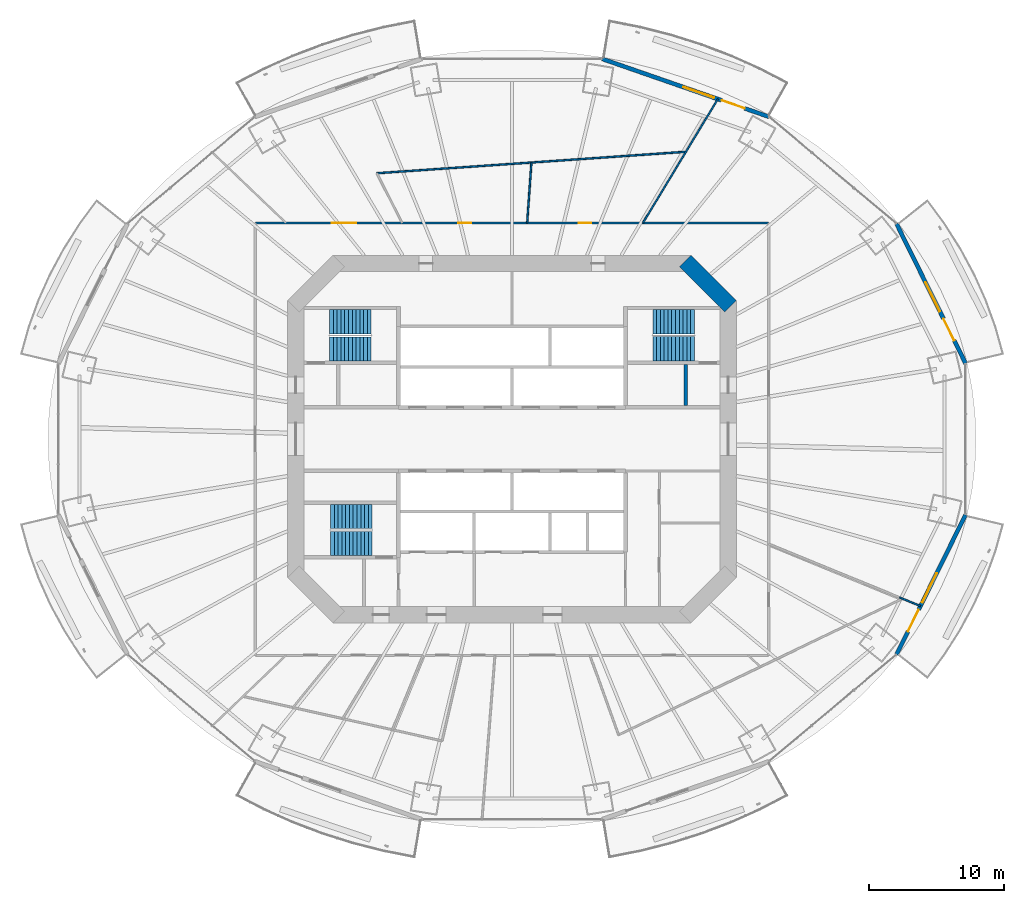
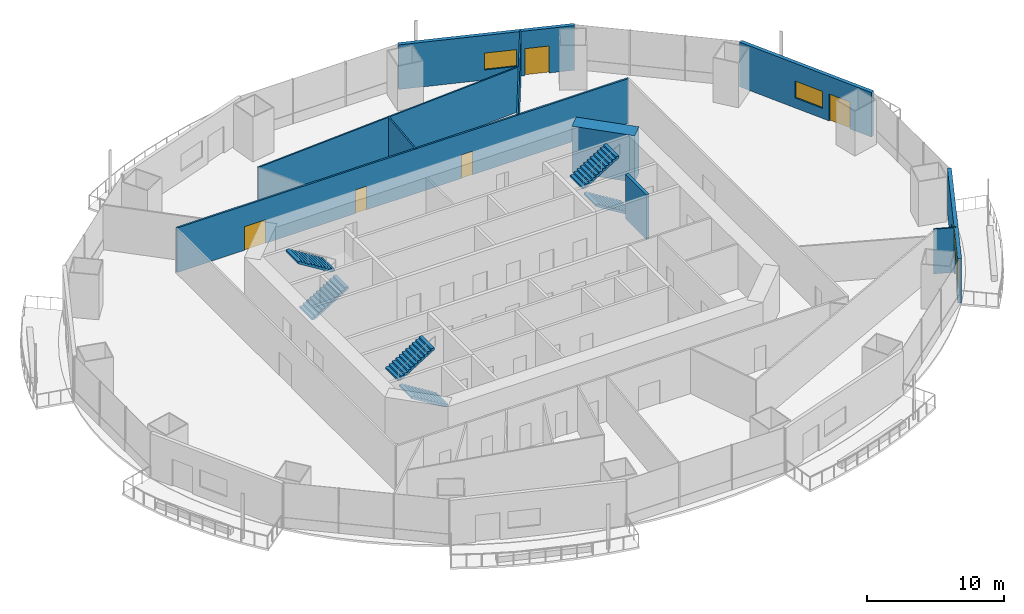
# One storey, part 16 of 22: 10 walls, 6 doors, 6 stair flights, 3 windows, 9 openings, 3 elements without a shape of their own.
"""IFC4 building model written with IfcOpenShell, lengths in metres."""

from ifc_helpers import new_model, si_unit, direction, frame, frame_2d, origin, place, context, subcontext, project, spatial, polyline, rectangle, outline, extrude, material, layer, layer_set, type_object, element, fill, aggregate, save


model = new_model("IFC4")

# Units and contexts
model_context = context("Model", 3, precision=1e-05, world=origin(), true_north=direction((0.0, 1.0)))
body_context = subcontext(model_context, "Body", "Model", "MODEL_VIEW")
ifc_project = project(units=[si_unit("LENGTHUNIT", "METRE"), si_unit("AREAUNIT", "SQUARE_METRE"), si_unit("VOLUMEUNIT", "CUBIC_METRE"), si_unit("PLANEANGLEUNIT", "RADIAN"), si_unit("MASSUNIT", "GRAM", prefix="KILO")], contexts=[model_context])

# Site, building, storey
site_placement = place(None, origin())
site = spatial("IfcSite", under=ifc_project, at=site_placement, CompositionType="ELEMENT")
building_placement = place(site_placement, origin())
building = spatial("IfcBuilding", under=site, at=building_placement, Name="Marenthal Gate Tower", CompositionType="ELEMENT")
storey_placement = place(building_placement, frame((0.0, 0.0, 111.85009765625)))
storey = spatial("IfcBuildingStorey", under=building, at=storey_placement, Name="L23", CompositionType="ELEMENT", Elevation=111.85009765625)

# Walls
ifc_material_1 = material(Name="Concrete 60 MPa", Category="concrete")
ifc_layer_1 = layer(ifc_material_1, 1.199951171875)
ifc_layer_set_1 = layer_set([ifc_layer_1], Name="Core shear wall 1200")
wall_type_1 = type_object("IfcWallType", Name="Core shear wall 1200", PredefinedType="SHEAR", material=ifc_layer_set_1)
wall_1_placement = place(storey_placement, frame((16.17578125, 9.82421875, -0.18017578125), z_axis=(0.0, 0.0, 1.0), x_axis=(-0.707106781187, 0.707106781187, 0.0)))
element("IfcWall", 1, at=wall_1_placement, inside=storey, type_object=wall_type_1, Name="Core wall 03", PredefinedType="SHEAR", context=body_context, shape_type="SweptSolid", body=[
    extrude(rectangle(XDim=4.73974609375, YDim=1.199951171875, at=frame_2d((2.369873046875, 0.0))), origin(), (0.0, 0.0, 1.0), 4.150146484375),
])
ifc_material_2 = material(Name="Gypsum board on steel studs", Category="steel")
ifc_layer_2 = layer(ifc_material_2, 0.1201171875)
ifc_layer_set_2 = layer_set([ifc_layer_2], Name="Partition 120")
wall_type_2 = type_object("IfcWallType", Name="Partition 120", PredefinedType="PARTITIONING", material=ifc_layer_set_2)
wall_2_placement = place(storey_placement, frame((1.436279296875, 20.469482421875, 0.0), z_axis=(0.0, 0.0, 1.0), x_axis=(-0.069965230182, -0.997549430638, 0.0)))
element("IfcWall", 2, at=wall_2_placement, inside=storey, type_object=wall_type_2, Name="Partition wall 58", PredefinedType="PARTITIONING", context=body_context, shape_type="SweptSolid", body=[
    extrude(rectangle(XDim=4.48046875, YDim=0.1201171875, at=frame_2d((2.240234375, 0.0))), origin(), (0.0, 0.0, 1.0), 3.969970703125),
])
wall_3_placement = place(storey_placement, frame((9.687255859375, 16.0, 0.0), z_axis=(0.0, 0.0, 1.0), x_axis=(0.517899667471, 0.855441368203, 0.0)))
element("IfcWall", 3, at=wall_3_placement, inside=storey, type_object=wall_type_2, Name="Partition wall 61", PredefinedType="PARTITIONING", context=body_context, shape_type="SweptSolid", body=[
    extrude(rectangle(XDim=10.714111328125, YDim=0.1201171875, at=frame_2d((5.35693359375, 0.0))), origin(), (0.0, 0.0, 1.0), 3.969970703125),
])
wall_4_placement = place(storey_placement, frame((12.8740234375, 21.263671875, 0.0), z_axis=(0.0, 0.0, 1.0), x_axis=(-0.99759796259, -0.069269798869, 0.0)))
element("IfcWall", 4, at=wall_4_placement, inside=storey, type_object=wall_type_2, Name="Partition wall 62", PredefinedType="PARTITIONING", context=body_context, shape_type="SweptSolid", body=[
    extrude(rectangle(XDim=22.930419921875, YDim=0.1201171875, at=frame_2d((11.46533203125, 0.0))), origin(), (0.0, 0.0, 1.0), 3.969970703125),
])
wall_5_placement = place(storey_placement, frame((28.6875, -11.721923828125, 0.0), z_axis=(0.0, 0.0, 1.0), x_axis=(0.92568226143, -0.378301930835, 0.0)))
element("IfcWall", 5, at=wall_5_placement, inside=storey, type_object=wall_type_2, Name="Partition wall 67", PredefinedType="PARTITIONING", context=body_context, shape_type="SweptSolid", body=[
    extrude(rectangle(XDim=1.666259765625, YDim=0.1201171875, at=frame_2d((0.8330078125, 0.0))), origin(), (0.0, 0.0, 1.0), 3.969970703125),
])

# Wall, openings, doors
ifc_material_3 = material(Name="Gypsum board on steel studs", Category="steel")
ifc_layer_3 = layer(ifc_material_3, 0.14990234375)
ifc_layer_set_3 = layer_set([ifc_layer_3], Name="Partition 150")
wall_type_3 = type_object("IfcWallType", Name="Partition 150", PredefinedType="PARTITIONING", material=ifc_layer_set_3)
wall_6_placement = place(storey_placement, frame((-19.0, 16.0, 0.0), z_axis=(0.0, 0.0, 1.0), x_axis=(1.0, 0.0, 0.0)))
wall_6 = element("IfcWall", 6, at=wall_6_placement, inside=storey, type_object=wall_type_3, Name="Partition wall 49", PredefinedType="PARTITIONING", context=body_context, shape_type="SweptSolid", body=[
    extrude(rectangle(XDim=38.0, YDim=0.14990234375, at=frame_2d((19.0, 0.0))), origin(), (0.0, 0.0, 1.0), 3.969970703125),
])
opening_1_placement = place(wall_6_placement, frame((23.929931640625, 0.0, 0.0)))
opening_1 = element("IfcOpeningElement", 7, at=opening_1_placement, cuts=wall_6, Name="Opening D016.01", PredefinedType="OPENING", context=body_context, shape_type="SweptSolid", body=[
    extrude(rectangle(XDim=0.949951171875, YDim=2.10009765625, at=frame_2d((0.47509765625, 1.050048828125))), frame((0.0, 0.0849609375, 0.0), z_axis=(0.0, -1.0, 0.0), x_axis=(1.0, 0.0, 0.0)), (0.0, 0.0, 1.0), 0.169921875),
])
opening_2_placement = place(wall_6_placement, frame((15.02001953125, 0.0, 0.0)))
opening_2 = element("IfcOpeningElement", 8, at=opening_2_placement, cuts=wall_6, Name="Opening D016.02", PredefinedType="OPENING", context=body_context, shape_type="SweptSolid", body=[
    extrude(rectangle(XDim=0.949951171875, YDim=2.10009765625, at=frame_2d((0.47509765625, 1.050048828125))), frame((0.0, 0.0849609375, 0.0), z_axis=(0.0, -1.0, 0.0), x_axis=(1.0, 0.0, 0.0)), (0.0, 0.0, 1.0), 0.169921875),
])
opening_3_placement = place(wall_6_placement, frame((5.6708984375, 0.0, 0.0)))
opening_3 = element("IfcOpeningElement", 9, at=opening_3_placement, cuts=wall_6, Name="Opening D014.01", PredefinedType="OPENING", context=body_context, shape_type="SweptSolid", body=[
    extrude(rectangle(XDim=1.800048828125, YDim=2.10009765625, at=frame_2d((0.89990234375, 1.050048828125))), frame((0.0, 0.0849609375, 0.0), z_axis=(0.0, -1.0, 0.0), x_axis=(1.0, 0.0, 0.0)), (0.0, 0.0, 1.0), 0.169921875),
])
ifc_material_4 = material(Name="Timber door", Category="wood")
door_type_1 = type_object("IfcDoorType", Name="Door 950 x 2100", OperationType="NOTDEFINED", PredefinedType="DOOR", material=ifc_material_4)
door_1_placement = place(opening_1_placement, origin())
door_1 = element("IfcDoor", 10, at=door_1_placement, inside=storey, type_object=door_type_1, Name="Door D016.01", OperationType="SINGLE_SWING_RIGHT", OverallHeight=2.10009765625, OverallWidth=0.949951171875, PredefinedType="DOOR", context=body_context, shape_type="SweptSolid", body=[
    extrude(rectangle(XDim=0.949951171875, YDim=2.10009765625, at=frame_2d((0.47509765625, 1.050048828125))), frame((0.0, 0.02490234375, 0.0), z_axis=(0.0, -1.0, 0.0), x_axis=(1.0, 0.0, 0.0)), (0.0, 0.0, 1.0), 0.050048828125),
])
fill(opening_1, door_1)
door_2_placement = place(opening_2_placement, origin())
door_2 = element("IfcDoor", 11, at=door_2_placement, inside=storey, type_object=door_type_1, Name="Door D016.02", OperationType="SINGLE_SWING_RIGHT", OverallHeight=2.10009765625, OverallWidth=0.949951171875, PredefinedType="DOOR", context=body_context, shape_type="SweptSolid", body=[
    extrude(rectangle(XDim=0.949951171875, YDim=2.10009765625, at=frame_2d((0.47509765625, 1.050048828125))), frame((0.0, 0.02490234375, 0.0), z_axis=(0.0, -1.0, 0.0), x_axis=(1.0, 0.0, 0.0)), (0.0, 0.0, 1.0), 0.050048828125),
])
fill(opening_2, door_2)
ifc_material_5 = material(Name="Timber door", Category="wood")
door_type_2 = type_object("IfcDoorType", Name="Double door 1800 x 2100", OperationType="DOUBLE_DOOR_SINGLE_SWING", PredefinedType="DOOR", material=ifc_material_5)
door_3_placement = place(opening_3_placement, origin())
door_3 = element("IfcDoor", 12, at=door_3_placement, inside=storey, type_object=door_type_2, Name="Door D014.01", OperationType="DOUBLE_DOOR_SINGLE_SWING", OverallHeight=2.10009765625, OverallWidth=1.800048828125, PredefinedType="DOOR", context=body_context, shape_type="SweptSolid", body=[
    extrude(rectangle(XDim=1.800048828125, YDim=2.10009765625, at=frame_2d((0.89990234375, 1.050048828125))), frame((0.0, 0.02490234375, 0.0), z_axis=(0.0, -1.0, 0.0), x_axis=(1.0, 0.0, 0.0)), (0.0, 0.0, 1.0), 0.050048828125),
])
fill(opening_3, door_3)

# Wall
ifc_material_6 = material(Name="Concrete 40 MPa", Category="concrete")
ifc_layer_4 = layer(ifc_material_6, 0.25)
ifc_layer_set_4 = layer_set([ifc_layer_4], Name="Stair enclosure wall 250")
wall_type_4 = type_object("IfcWallType", Name="Stair enclosure wall 250", PredefinedType="STANDARD", material=ifc_layer_set_4)
wall_7_placement = place(storey_placement, frame((12.85009765625, 2.47509765625, 0.0), z_axis=(0.0, 0.0, 1.0), x_axis=(0.0, 1.0, 0.0)))
element("IfcWall", 13, at=wall_7_placement, inside=storey, type_object=wall_type_4, Name="Stair wall 46", PredefinedType="STANDARD", context=body_context, shape_type="SweptSolid", body=[
    extrude(rectangle(XDim=3.0498046875, YDim=0.25, at=frame_2d((1.52490234375, 0.0))), origin(), (0.0, 0.0, 1.0), 3.969970703125),
])

# Wall, openings, door, window
ifc_material_7 = material(Name="Terracotta cladding on insulated concrete-block backing", Category="masonry")
ifc_layer_5 = layer(ifc_material_7, 0.300048828125)
ifc_layer_set_5 = layer_set([ifc_layer_5], Name="Terracotta facade wall 300")
wall_type_5 = type_object("IfcWallType", Name="Terracotta facade wall 300", PredefinedType="SOLIDWALL", material=ifc_layer_set_5)
wall_8_placement = place(storey_placement, frame((33.568359375, 5.5966796875, 0.0), z_axis=(0.0, 0.0, 1.0), x_axis=(-0.443018089739, 0.896512672618, 0.0)))
wall_8 = element("IfcWall", 14, at=wall_8_placement, inside=storey, type_object=wall_type_5, Name="Terracotta facade wall L23 bay 1", PredefinedType="SOLIDWALL", context=body_context, shape_type="SweptSolid", body=[
    extrude(rectangle(XDim=11.535400390625, YDim=0.300048828125, at=frame_2d((5.767578125, 0.0))), origin(), (0.0, 0.0, 1.0), 3.969970703125),
])
opening_4_placement = place(wall_8_placement, frame((1.89990234375, 0.0, 0.0)))
opening_4 = element("IfcOpeningElement", 15, at=opening_4_placement, cuts=wall_8, Name="Opening BD-L23-01", PredefinedType="OPENING", context=body_context, shape_type="SweptSolid", body=[
    extrude(rectangle(XDim=1.800048828125, YDim=2.39990234375, at=frame_2d((0.89990234375, 1.199951171875))), frame((0.0, 0.16015625, 0.0), z_axis=(0.0, -1.0, 0.0), x_axis=(1.0, 0.0, 0.0)), (0.0, 0.0, 1.0), 0.320068359375),
])
opening_5_placement = place(wall_8_placement, frame((4.300048828125, 0.0, 0.89990234375)))
opening_5 = element("IfcOpeningElement", 16, at=opening_5_placement, cuts=wall_8, Name="Opening WN1-L23-01", PredefinedType="OPENING", context=body_context, shape_type="SweptSolid", body=[
    extrude(rectangle(XDim=2.39990234375, YDim=1.5, at=frame_2d((1.199951171875, 0.75))), frame((0.0, 0.16015625, 0.0), z_axis=(0.0, -1.0, 0.0), x_axis=(1.0, 0.0, 0.0)), (0.0, 0.0, 1.0), 0.320068359375),
])
ifc_material_8 = material(Name="Aluminium and glass", Category="aluminium")
door_type_3 = type_object("IfcDoorType", Name="Balcony door 1800x2400", OperationType="DOUBLE_DOOR_SINGLE_SWING", PredefinedType="DOOR", material=ifc_material_8)
door_4_placement = place(opening_4_placement, origin())
door_4 = element("IfcDoor", 17, at=door_4_placement, inside=storey, type_object=door_type_3, Name="Balcony door L23 bay 1", OperationType="SINGLE_SWING_LEFT", OverallHeight=2.39990234375, OverallWidth=1.800048828125, PredefinedType="DOOR", context=body_context, shape_type="SweptSolid", body=[
    extrude(rectangle(XDim=1.800048828125, YDim=2.39990234375, at=frame_2d((0.89990234375, 1.199951171875))), frame((0.0, 0.02490234375, 0.0), z_axis=(0.0, -1.0, 0.0), x_axis=(1.0, 0.0, 0.0)), (0.0, 0.0, 1.0), 0.050048828125),
])
fill(opening_4, door_4)
ifc_material_9 = material(Name="Aluminium and glass", Category="aluminium")
window_type = type_object("IfcWindowType", Name="Window 2400x1500", PartitioningType="TRIPLE_PANEL_VERTICAL", PredefinedType="WINDOW", material=ifc_material_9)
window_1_placement = place(opening_5_placement, origin())
window_1 = element("IfcWindow", 18, at=window_1_placement, inside=storey, type_object=window_type, Name="Window L23 bay 1", OverallHeight=1.5, OverallWidth=2.39990234375, PartitioningType="SINGLE_PANEL", PredefinedType="WINDOW", context=body_context, shape_type="SweptSolid", body=[
    extrude(rectangle(XDim=2.39990234375, YDim=1.5, at=frame_2d((1.199951171875, 0.75))), frame((0.0, 0.030029296875, 0.0), z_axis=(0.0, -1.0, 0.0), x_axis=(1.0, 0.0, 0.0)), (0.0, 0.0, 1.0), 0.06005859375),
])
fill(opening_5, window_1)

wall_9_placement = place(storey_placement, frame((19.014892578125, 23.853271484375, 0.0), z_axis=(0.0, 0.0, 1.0), x_axis=(-0.944684524645, 0.327980409318, 0.0)))
wall_9 = element("IfcWall", 19, at=wall_9_placement, inside=storey, type_object=wall_type_5, Name="Terracotta facade wall L23 bay 3", PredefinedType="SOLIDWALL", context=body_context, shape_type="SweptSolid", body=[
    extrude(rectangle(XDim=13.06005859375, YDim=0.300048828125, at=frame_2d((6.530029296875, 0.0))), origin(), (0.0, 0.0, 1.0), 3.969970703125),
])
opening_6_placement = place(wall_9_placement, frame((1.89990234375, 0.0, 0.0)))
opening_6 = element("IfcOpeningElement", 20, at=opening_6_placement, cuts=wall_9, Name="Opening BD-L23-03", PredefinedType="OPENING", context=body_context, shape_type="SweptSolid", body=[
    extrude(rectangle(XDim=1.800048828125, YDim=2.39990234375, at=frame_2d((0.89990234375, 1.199951171875))), frame((0.0, 0.16015625, 0.0), z_axis=(0.0, -1.0, 0.0), x_axis=(1.0, 0.0, 0.0)), (0.0, 0.0, 1.0), 0.320068359375),
])
opening_7_placement = place(wall_9_placement, frame((4.300048828125, 0.0, 0.89990234375)))
opening_7 = element("IfcOpeningElement", 21, at=opening_7_placement, cuts=wall_9, Name="Opening WN1-L23-03", PredefinedType="OPENING", context=body_context, shape_type="SweptSolid", body=[
    extrude(rectangle(XDim=2.39990234375, YDim=1.5, at=frame_2d((1.199951171875, 0.75))), frame((0.0, 0.16015625, 0.0), z_axis=(0.0, -1.0, 0.0), x_axis=(1.0, 0.0, 0.0)), (0.0, 0.0, 1.0), 0.320068359375),
])
door_5_placement = place(opening_6_placement, origin())
door_5 = element("IfcDoor", 22, at=door_5_placement, inside=storey, type_object=door_type_3, Name="Balcony door L23 bay 3", OperationType="SINGLE_SWING_LEFT", OverallHeight=2.39990234375, OverallWidth=1.800048828125, PredefinedType="DOOR", context=body_context, shape_type="SweptSolid", body=[
    extrude(rectangle(XDim=1.800048828125, YDim=2.39990234375, at=frame_2d((0.89990234375, 1.199951171875))), frame((0.0, 0.02490234375, 0.0), z_axis=(0.0, -1.0, 0.0), x_axis=(1.0, 0.0, 0.0)), (0.0, 0.0, 1.0), 0.050048828125),
])
fill(opening_6, door_5)
window_2_placement = place(opening_7_placement, origin())
window_2 = element("IfcWindow", 23, at=window_2_placement, inside=storey, type_object=window_type, Name="Window L23 bay 3", OverallHeight=1.5, OverallWidth=2.39990234375, PartitioningType="SINGLE_PANEL", PredefinedType="WINDOW", context=body_context, shape_type="SweptSolid", body=[
    extrude(rectangle(XDim=2.39990234375, YDim=1.5, at=frame_2d((1.199951171875, 0.75))), frame((0.0, 0.030029296875, 0.0), z_axis=(0.0, -1.0, 0.0), x_axis=(1.0, 0.0, 0.0)), (0.0, 0.0, 1.0), 0.06005859375),
])
fill(opening_7, window_2)

wall_10_placement = place(storey_placement, frame((28.4580078125, -15.938232421875, 0.0), z_axis=(0.0, 0.0, 1.0), x_axis=(0.443026495864, 0.896508518622, 0.0)))
wall_10 = element("IfcWall", 24, at=wall_10_placement, inside=storey, type_object=wall_type_5, Name="Terracotta facade wall L23 bay 15", PredefinedType="SOLIDWALL", context=body_context, shape_type="SweptSolid", body=[
    extrude(rectangle(XDim=11.53515625, YDim=0.300048828125, at=frame_2d((5.767578125, 0.0))), origin(), (0.0, 0.0, 1.0), 3.969970703125),
])
opening_8_placement = place(wall_10_placement, frame((1.89990234375, 0.0, 0.0)))
opening_8 = element("IfcOpeningElement", 25, at=opening_8_placement, cuts=wall_10, Name="Opening BD-L23-15", PredefinedType="OPENING", context=body_context, shape_type="SweptSolid", body=[
    extrude(rectangle(XDim=1.800048828125, YDim=2.39990234375, at=frame_2d((0.89990234375, 1.199951171875))), frame((0.0, 0.16015625, 0.0), z_axis=(0.0, -1.0, 0.0), x_axis=(1.0, 0.0, 0.0)), (0.0, 0.0, 1.0), 0.320068359375),
])
opening_9_placement = place(wall_10_placement, frame((4.300048828125, 0.0, 0.89990234375)))
opening_9 = element("IfcOpeningElement", 26, at=opening_9_placement, cuts=wall_10, Name="Opening WN1-L23-15", PredefinedType="OPENING", context=body_context, shape_type="SweptSolid", body=[
    extrude(rectangle(XDim=2.39990234375, YDim=1.5, at=frame_2d((1.199951171875, 0.75))), frame((0.0, 0.16015625, 0.0), z_axis=(0.0, -1.0, 0.0), x_axis=(1.0, 0.0, 0.0)), (0.0, 0.0, 1.0), 0.320068359375),
])
door_6_placement = place(opening_8_placement, origin())
door_6 = element("IfcDoor", 27, at=door_6_placement, inside=storey, type_object=door_type_3, Name="Balcony door L23 bay 15", OperationType="SINGLE_SWING_LEFT", OverallHeight=2.39990234375, OverallWidth=1.800048828125, PredefinedType="DOOR", context=body_context, shape_type="SweptSolid", body=[
    extrude(rectangle(XDim=1.800048828125, YDim=2.39990234375, at=frame_2d((0.89990234375, 1.199951171875))), frame((0.0, 0.02490234375, 0.0), z_axis=(0.0, -1.0, 0.0), x_axis=(1.0, 0.0, 0.0)), (0.0, 0.0, 1.0), 0.050048828125),
])
fill(opening_8, door_6)
window_3_placement = place(opening_9_placement, origin())
window_3 = element("IfcWindow", 28, at=window_3_placement, inside=storey, type_object=window_type, Name="Window L23 bay 15", OverallHeight=1.5, OverallWidth=2.39990234375, PartitioningType="SINGLE_PANEL", PredefinedType="WINDOW", context=body_context, shape_type="SweptSolid", body=[
    extrude(rectangle(XDim=2.39990234375, YDim=1.5, at=frame_2d((1.199951171875, 0.75))), frame((0.0, 0.030029296875, 0.0), z_axis=(0.0, -1.0, 0.0), x_axis=(1.0, 0.0, 0.0)), (0.0, 0.0, 1.0), 0.06005859375),
])
fill(opening_9, window_3)

# Stair, stair flights
ifc_material_10 = material(Name="Concrete 40 MPa", Category="concrete")
stair_type = type_object("IfcStairType", Name="Exit stair 1800", PredefinedType="HALF_TURN_STAIR", material=ifc_material_10)
stair_1_placement = place(storey_placement, origin())
stair_1 = element("IfcStair", 29, at=stair_1_placement, inside=storey, type_object=stair_type, Name="Stair ST1", PredefinedType="HALF_TURN_STAIR")
ifc_material_11 = material(Name="Concrete 40 MPa", Category="concrete")
stair_flight_type = type_object("IfcStairFlightType", Name="Stair flight 1800", PredefinedType="STRAIGHT", material=ifc_material_11)
stair_flight_1_placement = place(storey_placement, frame((-13.5, 6.675048828125, 0.0), z_axis=(0.0, 0.0, 1.0), x_axis=(1.0, 0.0, 0.0)))
stair_flight_1 = element("IfcStairFlight", 30, at=stair_flight_1_placement, type_object=stair_flight_type, Name="ST1 flight 1", NumberOfRisers=12, NumberOfTreads=11, PredefinedType="STRAIGHT", RiserHeight=0.172916667, TreadLength=0.28, context=body_context, shape_type="SweptSolid", body=[
    extrude(outline(polyline([(0.0, 0.0), (0.0, 0.1728515625), (0.280029296875, 0.1728515625), (0.280029296875, 0.345947265625), (0.56005859375, 0.345947265625), (0.56005859375, 0.518798828125), (0.840087890625, 0.518798828125), (0.840087890625, 0.691650390625), (1.1201171875, 0.691650390625), (1.1201171875, 0.864501953125), (1.39990234375, 0.864501953125), (1.39990234375, 1.03759765625), (1.679931640625, 1.03759765625), (1.679931640625, 1.21044921875), (1.9599609375, 1.21044921875), (1.9599609375, 1.38330078125), (2.239990234375, 1.38330078125), (2.239990234375, 1.55615234375), (2.52001953125, 1.55615234375), (2.52001953125, 1.729248046875), (2.800048828125, 1.729248046875), (2.800048828125, 1.902099609375), (3.080078125, 1.902099609375), (3.080078125, 2.074951171875), (3.080078125, 1.725830078125), (0.285400390625, 0.0), (0.0, 0.0)])), frame((0.0, 0.89990234375, 0.0), z_axis=(0.0, -1.0, 0.0), x_axis=(1.0, 0.0, 0.0)), (0.0, 0.0, 1.0), 1.800048828125),
])
stair_flight_2_placement = place(storey_placement, frame((-10.419921875, 8.675048828125, 2.074951171875), z_axis=(0.0, 0.0, 1.0), x_axis=(-1.0, 0.0, 0.0)))
stair_flight_2 = element("IfcStairFlight", 31, at=stair_flight_2_placement, type_object=stair_flight_type, Name="ST1 flight 2", NumberOfRisers=12, NumberOfTreads=11, PredefinedType="STRAIGHT", RiserHeight=0.172916667, TreadLength=0.28, context=body_context, shape_type="SweptSolid", body=[
    extrude(outline(polyline([(0.0, 0.0), (0.0, 0.1728515625), (0.280029296875, 0.1728515625), (0.280029296875, 0.345947265625), (0.56005859375, 0.345947265625), (0.56005859375, 0.518798828125), (0.840087890625, 0.518798828125), (0.840087890625, 0.691650390625), (1.1201171875, 0.691650390625), (1.1201171875, 0.864501953125), (1.39990234375, 0.864501953125), (1.39990234375, 1.03759765625), (1.679931640625, 1.03759765625), (1.679931640625, 1.21044921875), (1.9599609375, 1.21044921875), (1.9599609375, 1.38330078125), (2.239990234375, 1.38330078125), (2.239990234375, 1.55615234375), (2.52001953125, 1.55615234375), (2.52001953125, 1.729248046875), (2.800048828125, 1.729248046875), (2.800048828125, 1.902099609375), (3.080078125, 1.902099609375), (3.080078125, 2.074951171875), (3.080078125, 1.725830078125), (0.285400390625, 0.0), (0.0, 0.0)])), frame((0.0, 0.89990234375, 0.0), z_axis=(0.0, -1.0, 0.0), x_axis=(1.0, 0.0, 0.0)), (0.0, 0.0, 1.0), 1.800048828125),
])
aggregate(stair_1, [stair_flight_1, stair_flight_2])

stair_2_placement = place(storey_placement, origin())
stair_2 = element("IfcStair", 32, at=stair_2_placement, inside=storey, type_object=stair_type, Name="Stair ST2", PredefinedType="HALF_TURN_STAIR")
stair_flight_3_placement = place(storey_placement, frame((-10.35009765625, -7.72509765625, 0.0), z_axis=(0.0, 0.0, 1.0), x_axis=(-1.0, 0.0, 0.0)))
stair_flight_3 = element("IfcStairFlight", 33, at=stair_flight_3_placement, type_object=stair_flight_type, Name="ST2 flight 1", NumberOfRisers=12, NumberOfTreads=11, PredefinedType="STRAIGHT", RiserHeight=0.172916667, TreadLength=0.28, context=body_context, shape_type="SweptSolid", body=[
    extrude(outline(polyline([(0.0, 0.0), (0.0, 0.1728515625), (0.280029296875, 0.1728515625), (0.280029296875, 0.345947265625), (0.56005859375, 0.345947265625), (0.56005859375, 0.518798828125), (0.840087890625, 0.518798828125), (0.840087890625, 0.691650390625), (1.1201171875, 0.691650390625), (1.1201171875, 0.864501953125), (1.39990234375, 0.864501953125), (1.39990234375, 1.03759765625), (1.679931640625, 1.03759765625), (1.679931640625, 1.21044921875), (1.9599609375, 1.21044921875), (1.9599609375, 1.38330078125), (2.239990234375, 1.38330078125), (2.239990234375, 1.55615234375), (2.52001953125, 1.55615234375), (2.52001953125, 1.729248046875), (2.800048828125, 1.729248046875), (2.800048828125, 1.902099609375), (3.080078125, 1.902099609375), (3.080078125, 2.074951171875), (3.080078125, 1.725830078125), (0.285400390625, 0.0), (0.0, 0.0)])), frame((0.0, 0.89990234375, 0.0), z_axis=(0.0, -1.0, 0.0), x_axis=(1.0, 0.0, 0.0)), (0.0, 0.0, 1.0), 1.800048828125),
])
stair_flight_4_placement = place(storey_placement, frame((-13.429931640625, -5.72509765625, 2.074951171875), z_axis=(0.0, 0.0, 1.0), x_axis=(1.0, 0.0, 0.0)))
stair_flight_4 = element("IfcStairFlight", 34, at=stair_flight_4_placement, type_object=stair_flight_type, Name="ST2 flight 2", NumberOfRisers=12, NumberOfTreads=11, PredefinedType="STRAIGHT", RiserHeight=0.172916667, TreadLength=0.28, context=body_context, shape_type="SweptSolid", body=[
    extrude(outline(polyline([(0.0, 0.0), (0.0, 0.1728515625), (0.280029296875, 0.1728515625), (0.280029296875, 0.345947265625), (0.56005859375, 0.345947265625), (0.56005859375, 0.518798828125), (0.840087890625, 0.518798828125), (0.840087890625, 0.691650390625), (1.1201171875, 0.691650390625), (1.1201171875, 0.864501953125), (1.39990234375, 0.864501953125), (1.39990234375, 1.03759765625), (1.679931640625, 1.03759765625), (1.679931640625, 1.21044921875), (1.9599609375, 1.21044921875), (1.9599609375, 1.38330078125), (2.239990234375, 1.38330078125), (2.239990234375, 1.55615234375), (2.52001953125, 1.55615234375), (2.52001953125, 1.729248046875), (2.800048828125, 1.729248046875), (2.800048828125, 1.902099609375), (3.080078125, 1.902099609375), (3.080078125, 2.074951171875), (3.080078125, 1.725830078125), (0.285400390625, 0.0), (0.0, 0.0)])), frame((0.0, 0.89990234375, 0.0), z_axis=(0.0, -1.0, 0.0), x_axis=(1.0, 0.0, 0.0)), (0.0, 0.0, 1.0), 1.800048828125),
])
aggregate(stair_2, [stair_flight_3, stair_flight_4])

stair_3_placement = place(storey_placement, origin())
stair_3 = element("IfcStair", 35, at=stair_3_placement, inside=storey, type_object=stair_type, Name="Stair ST3", PredefinedType="HALF_TURN_STAIR")
stair_flight_5_placement = place(storey_placement, frame((13.5, 6.675048828125, 0.0), z_axis=(0.0, 0.0, 1.0), x_axis=(-1.0, 0.0, 0.0)))
stair_flight_5 = element("IfcStairFlight", 36, at=stair_flight_5_placement, type_object=stair_flight_type, Name="ST3 flight 1", NumberOfRisers=12, NumberOfTreads=11, PredefinedType="STRAIGHT", RiserHeight=0.172916667, TreadLength=0.28, context=body_context, shape_type="SweptSolid", body=[
    extrude(outline(polyline([(0.0, 0.0), (0.0, 0.1728515625), (0.280029296875, 0.1728515625), (0.280029296875, 0.345947265625), (0.56005859375, 0.345947265625), (0.56005859375, 0.518798828125), (0.840087890625, 0.518798828125), (0.840087890625, 0.691650390625), (1.1201171875, 0.691650390625), (1.1201171875, 0.864501953125), (1.39990234375, 0.864501953125), (1.39990234375, 1.03759765625), (1.679931640625, 1.03759765625), (1.679931640625, 1.21044921875), (1.9599609375, 1.21044921875), (1.9599609375, 1.38330078125), (2.239990234375, 1.38330078125), (2.239990234375, 1.55615234375), (2.52001953125, 1.55615234375), (2.52001953125, 1.729248046875), (2.800048828125, 1.729248046875), (2.800048828125, 1.902099609375), (3.080078125, 1.902099609375), (3.080078125, 2.074951171875), (3.080078125, 1.725830078125), (0.285400390625, 0.0), (0.0, 0.0)])), frame((0.0, 0.89990234375, 0.0), z_axis=(0.0, -1.0, 0.0), x_axis=(1.0, 0.0, 0.0)), (0.0, 0.0, 1.0), 1.800048828125),
])
stair_flight_6_placement = place(storey_placement, frame((10.419921875, 8.675048828125, 2.074951171875), z_axis=(0.0, 0.0, 1.0), x_axis=(1.0, 0.0, 0.0)))
stair_flight_6 = element("IfcStairFlight", 37, at=stair_flight_6_placement, type_object=stair_flight_type, Name="ST3 flight 2", NumberOfRisers=12, NumberOfTreads=11, PredefinedType="STRAIGHT", RiserHeight=0.172916667, TreadLength=0.28, context=body_context, shape_type="SweptSolid", body=[
    extrude(outline(polyline([(0.0, 0.0), (0.0, 0.1728515625), (0.280029296875, 0.1728515625), (0.280029296875, 0.345947265625), (0.56005859375, 0.345947265625), (0.56005859375, 0.518798828125), (0.840087890625, 0.518798828125), (0.840087890625, 0.691650390625), (1.1201171875, 0.691650390625), (1.1201171875, 0.864501953125), (1.39990234375, 0.864501953125), (1.39990234375, 1.03759765625), (1.679931640625, 1.03759765625), (1.679931640625, 1.21044921875), (1.9599609375, 1.21044921875), (1.9599609375, 1.38330078125), (2.239990234375, 1.38330078125), (2.239990234375, 1.55615234375), (2.52001953125, 1.55615234375), (2.52001953125, 1.729248046875), (2.800048828125, 1.729248046875), (2.800048828125, 1.902099609375), (3.080078125, 1.902099609375), (3.080078125, 2.074951171875), (3.080078125, 1.725830078125), (0.285400390625, 0.0), (0.0, 0.0)])), frame((0.0, 0.89990234375, 0.0), z_axis=(0.0, -1.0, 0.0), x_axis=(1.0, 0.0, 0.0)), (0.0, 0.0, 1.0), 1.800048828125),
])
aggregate(stair_3, [stair_flight_5, stair_flight_6])

save(model, "model.ifc")
